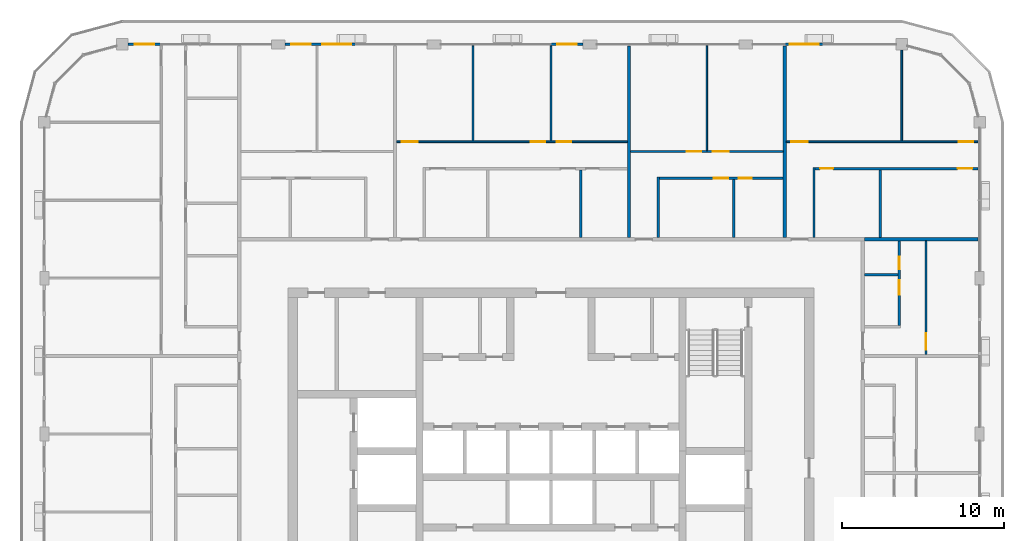
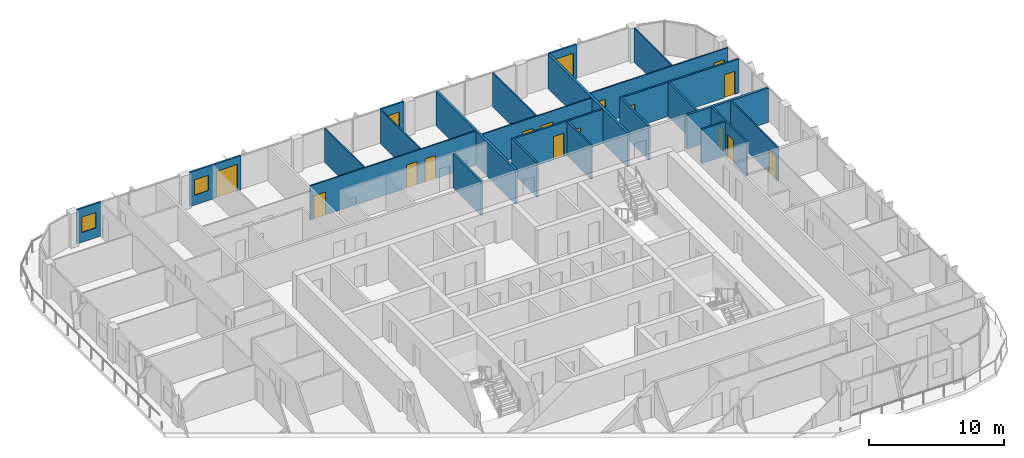
# One storey, part 15 of 22: 24 walls, 16 doors, 3 windows, 19 openings.
"""IFC4 building model written with IfcOpenShell, lengths in metres."""

from ifc_helpers import new_model, si_unit, direction, frame, frame_2d, origin, place, context, subcontext, project, spatial, rectangle, extrude, material, layer, layer_set, type_object, element, fill, save


model = new_model("IFC4")

# Units and contexts
model_context = context("Model", 3, precision=1e-05, world=origin(), true_north=direction((0.0, 1.0)))
body_context = subcontext(model_context, "Body", "Model", "MODEL_VIEW")
ifc_project = project(units=[si_unit("LENGTHUNIT", "METRE"), si_unit("AREAUNIT", "SQUARE_METRE"), si_unit("VOLUMEUNIT", "CUBIC_METRE"), si_unit("PLANEANGLEUNIT", "RADIAN"), si_unit("MASSUNIT", "GRAM", prefix="KILO")], contexts=[model_context])

# Site, building, storey
site_placement = place(None, origin())
site = spatial("IfcSite", under=ifc_project, at=site_placement, CompositionType="ELEMENT")
building_placement = place(site_placement, origin())
building = spatial("IfcBuilding", under=site, at=building_placement, Name="Madar Terraces", CompositionType="ELEMENT")
storey_placement = place(building_placement, frame((0.0, 0.0, 259.699951171875)))
storey = spatial("IfcBuildingStorey", under=building, at=storey_placement, Name="L68", CompositionType="ELEMENT", Elevation=259.699951171875)

# Wall, opening, door
ifc_material_1 = material(Name="Aluminium composite panel, black, over insulated backing", Category="aluminium")
ifc_layer_1 = layer(ifc_material_1, 0.14990234375)
ifc_layer_set_1 = layer_set([ifc_layer_1], Name="Facade bay panel 150")
wall_type_1 = type_object("IfcWallType", Name="Facade bay panel 150", PredefinedType="SOLIDWALL", material=ifc_layer_set_1)
wall_1_placement = place(storey_placement, frame((48.0, 52.800048828125, 0.0), z_axis=(0.0, 0.0, 1.0), x_axis=(-1.0, 0.0, 0.0)))
wall_1 = element("IfcWall", 1, at=wall_1_placement, inside=storey, type_object=wall_type_1, Name="Facade bay panel", PredefinedType="SOLIDWALL", context=body_context, shape_type="SweptSolid", body=[
    extrude(rectangle(XDim=2.39990234375, YDim=0.14990234375, at=frame_2d((1.199951171875, 0.0))), origin(), (0.0, 0.0, 1.0), 3.10009765625),
])
opening_1_placement = place(wall_1_placement, frame((0.300048828125, 0.0, 0.0)))
opening_1 = element("IfcOpeningElement", 2, at=opening_1_placement, cuts=wall_1, Name="Opening ED1", PredefinedType="OPENING", context=body_context, shape_type="SweptSolid", body=[
    extrude(rectangle(XDim=1.800048828125, YDim=2.39990234375, at=frame_2d((0.89990234375, 1.199951171875))), frame((0.0, 0.0849609375, 0.0), z_axis=(0.0, -1.0, 0.0), x_axis=(1.0, 0.0, 0.0)), (0.0, 0.0, 1.0), 0.169921875),
])
ifc_material_2 = material(Name="Glass, clear, with black aluminium frame", Category="aluminium")
door_type_1 = type_object("IfcDoorType", Name="Balcony and terrace sliding door 1800 x 2400", OperationType="SLIDING_TO_LEFT", PredefinedType="DOOR", material=ifc_material_2)
door_1_placement = place(opening_1_placement, origin())
door_1 = element("IfcDoor", 3, at=door_1_placement, inside=storey, type_object=door_type_1, Name="Balcony door", OperationType="SLIDING_TO_LEFT", OverallHeight=2.39990234375, OverallWidth=1.800048828125, PredefinedType="DOOR", context=body_context, shape_type="SweptSolid", body=[
    extrude(rectangle(XDim=1.800048828125, YDim=2.39990234375, at=frame_2d((0.89990234375, 1.199951171875))), frame((0.0, 0.02490234375, 0.0), z_axis=(0.0, -1.0, 0.0), x_axis=(1.0, 0.0, 0.0)), (0.0, 0.0, 1.0), 0.050048828125),
])
fill(opening_1, door_1)

# Wall, opening, window
wall_2_placement = place(storey_placement, frame((33.175048828125, 52.800048828125, 0.0), z_axis=(0.0, 0.0, 1.0), x_axis=(-1.0, 0.0, 0.0)))
wall_2 = element("IfcWall", 4, at=wall_2_placement, inside=storey, type_object=wall_type_1, Name="Facade bay panel", PredefinedType="SOLIDWALL", context=body_context, shape_type="SweptSolid", body=[
    extrude(rectangle(XDim=1.97509765625, YDim=0.14990234375, at=frame_2d((0.987548828125, 0.0))), origin(), (0.0, 0.0, 1.0), 3.10009765625),
])
opening_2_placement = place(wall_2_placement, frame((0.387451171875, 0.0, 0.89990234375)))
opening_2 = element("IfcOpeningElement", 5, at=opening_2_placement, cuts=wall_2, Name="Opening W1", PredefinedType="OPENING", context=body_context, shape_type="SweptSolid", body=[
    extrude(rectangle(XDim=1.199951171875, YDim=1.39990234375, at=frame_2d((0.60009765625, 0.699951171875))), frame((0.0, 0.0849609375, 0.0), z_axis=(0.0, -1.0, 0.0), x_axis=(1.0, 0.0, 0.0)), (0.0, 0.0, 1.0), 0.169921875),
])
ifc_material_3 = material(Name="Glass, clear, with black aluminium frame", Category="aluminium")
window_type = type_object("IfcWindowType", Name="Vent window 1200 x 1400", PartitioningType="SINGLE_PANEL", PredefinedType="WINDOW", material=ifc_material_3)
window_1_placement = place(opening_2_placement, origin())
window_1 = element("IfcWindow", 6, at=window_1_placement, inside=storey, type_object=window_type, Name="Operable vent window", OverallHeight=1.39990234375, OverallWidth=1.199951171875, PartitioningType="SINGLE_PANEL", PredefinedType="WINDOW", context=body_context, shape_type="SweptSolid", body=[
    extrude(rectangle(XDim=1.199951171875, YDim=1.39990234375, at=frame_2d((0.60009765625, 0.699951171875))), frame((0.0, 0.030029296875, 0.0), z_axis=(0.0, -1.0, 0.0), x_axis=(1.0, 0.0, 0.0)), (0.0, 0.0, 1.0), 0.06005859375),
])
fill(opening_2, window_1)

# Wall, openings, door, window
wall_3_placement = place(storey_placement, frame((19.199951171875, 52.800048828125, 0.0), z_axis=(0.0, 0.0, 1.0), x_axis=(-1.0, 0.0, 0.0)))
wall_3 = element("IfcWall", 7, at=wall_3_placement, inside=storey, type_object=wall_type_1, Name="Facade bay panel", PredefinedType="SOLIDWALL", context=body_context, shape_type="SweptSolid", body=[
    extrude(rectangle(XDim=4.375, YDim=0.14990234375, at=frame_2d((2.1875, 0.0))), origin(), (0.0, 0.0, 1.0), 3.10009765625),
])
opening_3_placement = place(wall_3_placement, frame((0.300048828125, 0.0, 0.0)))
opening_3 = element("IfcOpeningElement", 8, at=opening_3_placement, cuts=wall_3, Name="Opening ED1", PredefinedType="OPENING", context=body_context, shape_type="SweptSolid", body=[
    extrude(rectangle(XDim=1.800048828125, YDim=2.39990234375, at=frame_2d((0.89990234375, 1.199951171875))), frame((0.0, 0.0849609375, 0.0), z_axis=(0.0, -1.0, 0.0), x_axis=(1.0, 0.0, 0.0)), (0.0, 0.0, 1.0), 0.169921875),
])
opening_4_placement = place(wall_3_placement, frame((2.78759765625, 0.0, 0.89990234375)))
opening_4 = element("IfcOpeningElement", 9, at=opening_4_placement, cuts=wall_3, Name="Opening W1", PredefinedType="OPENING", context=body_context, shape_type="SweptSolid", body=[
    extrude(rectangle(XDim=1.199951171875, YDim=1.39990234375, at=frame_2d((0.60009765625, 0.699951171875))), frame((0.0, 0.0849609375, 0.0), z_axis=(0.0, -1.0, 0.0), x_axis=(1.0, 0.0, 0.0)), (0.0, 0.0, 1.0), 0.169921875),
])
door_2_placement = place(opening_3_placement, origin())
door_2 = element("IfcDoor", 10, at=door_2_placement, inside=storey, type_object=door_type_1, Name="Balcony door", OperationType="SLIDING_TO_RIGHT", OverallHeight=2.39990234375, OverallWidth=1.800048828125, PredefinedType="DOOR", context=body_context, shape_type="SweptSolid", body=[
    extrude(rectangle(XDim=1.800048828125, YDim=2.39990234375, at=frame_2d((0.89990234375, 1.199951171875))), frame((0.0, 0.02490234375, 0.0), z_axis=(0.0, -1.0, 0.0), x_axis=(1.0, 0.0, 0.0)), (0.0, 0.0, 1.0), 0.050048828125),
])
fill(opening_3, door_2)
window_2_placement = place(opening_4_placement, origin())
window_2 = element("IfcWindow", 11, at=window_2_placement, inside=storey, type_object=window_type, Name="Operable vent window", OverallHeight=1.39990234375, OverallWidth=1.199951171875, PartitioningType="SINGLE_PANEL", PredefinedType="WINDOW", context=body_context, shape_type="SweptSolid", body=[
    extrude(rectangle(XDim=1.199951171875, YDim=1.39990234375, at=frame_2d((0.60009765625, 0.699951171875))), frame((0.0, 0.030029296875, 0.0), z_axis=(0.0, -1.0, 0.0), x_axis=(1.0, 0.0, 0.0)), (0.0, 0.0, 1.0), 0.06005859375),
])
fill(opening_4, window_2)

# Wall, opening, window
wall_4_placement = place(storey_placement, frame((7.199951171875, 52.800048828125, 0.0), z_axis=(0.0, 0.0, 1.0), x_axis=(-1.0, 0.0, 0.0)))
wall_4 = element("IfcWall", 12, at=wall_4_placement, inside=storey, type_object=wall_type_1, Name="Facade bay panel", PredefinedType="SOLIDWALL", context=body_context, shape_type="SweptSolid", body=[
    extrude(rectangle(XDim=2.050048828125, YDim=0.14990234375, at=frame_2d((1.02490234375, 0.0))), origin(), (0.0, 0.0, 1.0), 3.10009765625),
])
opening_5_placement = place(wall_4_placement, frame((0.425048828125, 0.0, 0.89990234375)))
opening_5 = element("IfcOpeningElement", 13, at=opening_5_placement, cuts=wall_4, Name="Opening W1", PredefinedType="OPENING", context=body_context, shape_type="SweptSolid", body=[
    extrude(rectangle(XDim=1.199951171875, YDim=1.39990234375, at=frame_2d((0.60009765625, 0.699951171875))), frame((0.0, 0.0849609375, 0.0), z_axis=(0.0, -1.0, 0.0), x_axis=(1.0, 0.0, 0.0)), (0.0, 0.0, 1.0), 0.169921875),
])
window_3_placement = place(opening_5_placement, origin())
window_3 = element("IfcWindow", 14, at=window_3_placement, inside=storey, type_object=window_type, Name="Operable vent window", OverallHeight=1.39990234375, OverallWidth=1.199951171875, PartitioningType="SINGLE_PANEL", PredefinedType="WINDOW", context=body_context, shape_type="SweptSolid", body=[
    extrude(rectangle(XDim=1.199951171875, YDim=1.39990234375, at=frame_2d((0.60009765625, 0.699951171875))), frame((0.0, 0.030029296875, 0.0), z_axis=(0.0, -1.0, 0.0), x_axis=(1.0, 0.0, 0.0)), (0.0, 0.0, 1.0), 0.06005859375),
])
fill(opening_5, window_3)

# Wall, opening, door
ifc_material_4 = material(Name="Gypsum board on steel studs", Category="steel")
ifc_layer_2 = layer(ifc_material_4, 0.10009765625)
ifc_layer_set_2 = layer_set([ifc_layer_2], Name="Flat partition 100")
wall_type_2 = type_object("IfcWallType", Name="Flat partition 100", PredefinedType="PARTITIONING", material=ifc_layer_set_2)
wall_5_placement = place(storey_placement, frame((54.300048828125, 40.699951171875, 0.0), z_axis=(0.0, 0.0, 1.0), x_axis=(0.0, -1.0, 0.0)))
wall_5 = element("IfcWall", 15, at=wall_5_placement, inside=storey, type_object=wall_type_2, Name="Flat partition 100", PredefinedType="PARTITIONING", context=body_context, shape_type="SweptSolid", body=[
    extrude(rectangle(XDim=7.0, YDim=0.10009765625, at=frame_2d((3.5, 0.0))), origin(), (0.0, 0.0, 1.0), 3.10009765625),
])
opening_6_placement = place(wall_5_placement, frame((5.699951171875, 0.0, 0.0)))
opening_6 = element("IfcOpeningElement", 16, at=opening_6_placement, cuts=wall_5, Name="Opening D3", PredefinedType="OPENING", context=body_context, shape_type="SweptSolid", body=[
    extrude(rectangle(XDim=1.0, YDim=2.10009765625, at=frame_2d((0.5, 1.050048828125))), frame((0.0, 0.06005859375, 0.0), z_axis=(0.0, -1.0, 0.0), x_axis=(1.0, 0.0, 0.0)), (0.0, 0.0, 1.0), 0.1201171875),
])
ifc_material_5 = material(Name="Timber door leaf", Category="wood")
door_type_2 = type_object("IfcDoorType", Name="Flat living room door 1000", OperationType="NOTDEFINED", PredefinedType="DOOR", material=ifc_material_5)
door_3_placement = place(opening_6_placement, origin())
door_3 = element("IfcDoor", 17, at=door_3_placement, inside=storey, type_object=door_type_2, Name="Flat living room door 1000", OperationType="SINGLE_SWING_RIGHT", OverallHeight=2.10009765625, OverallWidth=1.0, PredefinedType="DOOR", context=body_context, shape_type="SweptSolid", body=[
    extrude(rectangle(XDim=1.0, YDim=2.10009765625, at=frame_2d((0.5, 1.050048828125))), frame((0.0, 0.02490234375, 0.0), z_axis=(0.0, -1.0, 0.0), x_axis=(1.0, 0.0, 0.0)), (0.0, 0.0, 1.0), 0.050048828125),
])
fill(opening_6, door_3)

# Wall
wall_6_placement = place(storey_placement, frame((52.800048828125, 46.85009765625, 0.0), z_axis=(0.0, 0.0, 1.0), x_axis=(0.0, 1.0, 0.0)))
element("IfcWall", 18, at=wall_6_placement, inside=storey, type_object=wall_type_2, Name="Flat partition 100", PredefinedType="PARTITIONING", context=body_context, shape_type="SweptSolid", body=[
    extrude(rectangle(XDim=5.599853515625, YDim=0.10009765625, at=frame_2d((2.7998046875, 0.0))), origin(), (0.0, 0.0, 1.0), 3.10009765625),
])

# Wall, openings, doors
wall_7_placement = place(storey_placement, frame((45.699951171875, 46.800048828125, 0.0), z_axis=(0.0, 0.0, 1.0), x_axis=(1.0, 0.0, 0.0)))
wall_7 = element("IfcWall", 19, at=wall_7_placement, inside=storey, type_object=wall_type_2, Name="Flat partition 100", PredefinedType="PARTITIONING", context=body_context, shape_type="SweptSolid", body=[
    extrude(rectangle(XDim=11.800048828125, YDim=0.10009765625, at=frame_2d((5.89990234375, 0.0))), origin(), (0.0, 0.0, 1.0), 3.10009765625),
])
opening_7_placement = place(wall_7_placement, frame((0.300048828125, 0.0, 0.0)))
opening_7 = element("IfcOpeningElement", 20, at=opening_7_placement, cuts=wall_7, Name="Opening D3", PredefinedType="OPENING", context=body_context, shape_type="SweptSolid", body=[
    extrude(rectangle(XDim=1.0, YDim=2.10009765625, at=frame_2d((0.5, 1.050048828125))), frame((0.0, 0.06005859375, 0.0), z_axis=(0.0, -1.0, 0.0), x_axis=(1.0, 0.0, 0.0)), (0.0, 0.0, 1.0), 0.1201171875),
])
opening_8_placement = place(wall_7_placement, frame((10.60009765625, 0.0, 0.0)))
opening_8 = element("IfcOpeningElement", 21, at=opening_8_placement, cuts=wall_7, Name="Opening D2", PredefinedType="OPENING", context=body_context, shape_type="SweptSolid", body=[
    extrude(rectangle(XDim=0.89990234375, YDim=2.10009765625, at=frame_2d((0.449951171875, 1.050048828125))), frame((0.0, 0.06005859375, 0.0), z_axis=(0.0, -1.0, 0.0), x_axis=(1.0, 0.0, 0.0)), (0.0, 0.0, 1.0), 0.1201171875),
])
door_4_placement = place(opening_7_placement, origin())
door_4 = element("IfcDoor", 22, at=door_4_placement, inside=storey, type_object=door_type_2, Name="Flat living room door 1000", OperationType="SINGLE_SWING_LEFT", OverallHeight=2.10009765625, OverallWidth=1.0, PredefinedType="DOOR", context=body_context, shape_type="SweptSolid", body=[
    extrude(rectangle(XDim=1.0, YDim=2.10009765625, at=frame_2d((0.5, 1.050048828125))), frame((0.0, 0.02490234375, 0.0), z_axis=(0.0, -1.0, 0.0), x_axis=(1.0, 0.0, 0.0)), (0.0, 0.0, 1.0), 0.050048828125),
])
fill(opening_7, door_4)
ifc_material_6 = material(Name="Timber door leaf", Category="wood")
door_type_3 = type_object("IfcDoorType", Name="Flat room door 900", OperationType="NOTDEFINED", PredefinedType="DOOR", material=ifc_material_6)
door_5_placement = place(opening_8_placement, origin())
door_5 = element("IfcDoor", 23, at=door_5_placement, inside=storey, type_object=door_type_3, Name="Flat room door 900", OperationType="SINGLE_SWING_RIGHT", OverallHeight=2.10009765625, OverallWidth=0.89990234375, PredefinedType="DOOR", context=body_context, shape_type="SweptSolid", body=[
    extrude(rectangle(XDim=0.89990234375, YDim=2.10009765625, at=frame_2d((0.449951171875, 1.050048828125))), frame((0.0, 0.02490234375, 0.0), z_axis=(0.0, -1.0, 0.0), x_axis=(1.0, 0.0, 0.0)), (0.0, 0.0, 1.0), 0.050048828125),
])
fill(opening_8, door_5)

# Wall
wall_8_placement = place(storey_placement, frame((40.800048828125, 46.25, 0.0), z_axis=(0.0, 0.0, 1.0), x_axis=(0.0, 1.0, 0.0)))
element("IfcWall", 24, at=wall_8_placement, inside=storey, type_object=wall_type_2, Name="Flat partition 100", PredefinedType="PARTITIONING", context=body_context, shape_type="SweptSolid", body=[
    extrude(rectangle(XDim=6.449951171875, YDim=0.10009765625, at=frame_2d((3.22509765625, 0.0))), origin(), (0.0, 0.0, 1.0), 3.10009765625),
])

# Wall, openings, doors
wall_9_placement = place(storey_placement, frame((36.10009765625, 46.199951171875, 0.0), z_axis=(0.0, 0.0, 1.0), x_axis=(1.0, 0.0, 0.0)))
wall_9 = element("IfcWall", 25, at=wall_9_placement, inside=storey, type_object=wall_type_2, Name="Flat partition 100", PredefinedType="PARTITIONING", context=body_context, shape_type="SweptSolid", body=[
    extrude(rectangle(XDim=9.39990234375, YDim=0.10009765625, at=frame_2d((4.699951171875, 0.0))), origin(), (0.0, 0.0, 1.0), 3.10009765625),
])
opening_9_placement = place(wall_9_placement, frame((3.449951171875, 0.0, 0.0)))
opening_9 = element("IfcOpeningElement", 26, at=opening_9_placement, cuts=wall_9, Name="Opening D2", PredefinedType="OPENING", context=body_context, shape_type="SweptSolid", body=[
    extrude(rectangle(XDim=0.89990234375, YDim=2.10009765625, at=frame_2d((0.449951171875, 1.050048828125))), frame((0.0, 0.06005859375, 0.0), z_axis=(0.0, -1.0, 0.0), x_axis=(1.0, 0.0, 0.0)), (0.0, 0.0, 1.0), 0.1201171875),
])
opening_10_placement = place(wall_9_placement, frame((5.050048828125, 0.0, 0.0)))
opening_10 = element("IfcOpeningElement", 27, at=opening_10_placement, cuts=wall_9, Name="Opening D3", PredefinedType="OPENING", context=body_context, shape_type="SweptSolid", body=[
    extrude(rectangle(XDim=1.0, YDim=2.10009765625, at=frame_2d((0.5, 1.050048828125))), frame((0.0, 0.06005859375, 0.0), z_axis=(0.0, -1.0, 0.0), x_axis=(1.0, 0.0, 0.0)), (0.0, 0.0, 1.0), 0.1201171875),
])
door_6_placement = place(opening_10_placement, origin())
door_6 = element("IfcDoor", 28, at=door_6_placement, inside=storey, type_object=door_type_2, Name="Flat living room door 1000", OperationType="SINGLE_SWING_LEFT", OverallHeight=2.10009765625, OverallWidth=1.0, PredefinedType="DOOR", context=body_context, shape_type="SweptSolid", body=[
    extrude(rectangle(XDim=1.0, YDim=2.10009765625, at=frame_2d((0.5, 1.050048828125))), frame((0.0, 0.02490234375, 0.0), z_axis=(0.0, -1.0, 0.0), x_axis=(1.0, 0.0, 0.0)), (0.0, 0.0, 1.0), 0.050048828125),
])
fill(opening_10, door_6)
door_7_placement = place(opening_9_placement, origin())
door_7 = element("IfcDoor", 29, at=door_7_placement, inside=storey, type_object=door_type_3, Name="Flat room door 900", OperationType="SINGLE_SWING_RIGHT", OverallHeight=2.10009765625, OverallWidth=0.89990234375, PredefinedType="DOOR", context=body_context, shape_type="SweptSolid", body=[
    extrude(rectangle(XDim=0.89990234375, YDim=2.10009765625, at=frame_2d((0.449951171875, 1.050048828125))), frame((0.0, 0.02490234375, 0.0), z_axis=(0.0, -1.0, 0.0), x_axis=(1.0, 0.0, 0.0)), (0.0, 0.0, 1.0), 0.050048828125),
])
fill(opening_9, door_7)

# Walls
for number, where, z_axis, x_axis, name in (
    (30, (26.39990234375, 46.85009765625, 0.0), (0.0, 0.0, 1.0), (0.0, 1.0, 0.0), "Flat partition 100"),
    (31, (31.199951171875, 46.85009765625, 0.0), (0.0, 0.0, 1.0), (0.0, 1.0, 0.0), "Flat partition 100"),
):
    element("IfcWall", number, at=place(storey_placement, frame(where, z_axis=z_axis, x_axis=x_axis)), inside=storey, type_object=wall_type_2, Name=name, PredefinedType="PARTITIONING", context=body_context, shape_type="SweptSolid", body=[
        extrude(rectangle(XDim=5.849853515625, YDim=0.10009765625, at=frame_2d((2.9248046875, 0.0))), origin(), (0.0, 0.0, 1.0), 3.10009765625),
    ])

# Wall, openings, doors
wall_10_placement = place(storey_placement, frame((21.699951171875, 46.800048828125, 0.0), z_axis=(0.0, 0.0, 1.0), x_axis=(1.0, 0.0, 0.0)))
wall_10 = element("IfcWall", 32, at=wall_10_placement, inside=storey, type_object=wall_type_2, Name="Flat partition 100", PredefinedType="PARTITIONING", context=body_context, shape_type="SweptSolid", body=[
    extrude(rectangle(XDim=14.199951171875, YDim=0.10009765625, at=frame_2d((7.10009765625, 0.0))), origin(), (0.0, 0.0, 1.0), 3.10009765625),
])
opening_11_placement = place(wall_10_placement, frame((0.300048828125, 0.0, 0.0)))
opening_11 = element("IfcOpeningElement", 33, at=opening_11_placement, cuts=wall_10, Name="Opening D3", PredefinedType="OPENING", context=body_context, shape_type="SweptSolid", body=[
    extrude(rectangle(XDim=1.0, YDim=2.10009765625, at=frame_2d((0.5, 1.050048828125))), frame((0.0, 0.06005859375, 0.0), z_axis=(0.0, -1.0, 0.0), x_axis=(1.0, 0.0, 0.0)), (0.0, 0.0, 1.0), 0.1201171875),
])
opening_12_placement = place(wall_10_placement, frame((8.25, 0.0, 0.0)))
opening_12 = element("IfcOpeningElement", 34, at=opening_12_placement, cuts=wall_10, Name="Opening D2", PredefinedType="OPENING", context=body_context, shape_type="SweptSolid", body=[
    extrude(rectangle(XDim=0.89990234375, YDim=2.10009765625, at=frame_2d((0.449951171875, 1.050048828125))), frame((0.0, 0.06005859375, 0.0), z_axis=(0.0, -1.0, 0.0), x_axis=(1.0, 0.0, 0.0)), (0.0, 0.0, 1.0), 0.1201171875),
])
opening_13_placement = place(wall_10_placement, frame((9.85009765625, 0.0, 0.0)))
opening_13 = element("IfcOpeningElement", 35, at=opening_13_placement, cuts=wall_10, Name="Opening D2", PredefinedType="OPENING", context=body_context, shape_type="SweptSolid", body=[
    extrude(rectangle(XDim=0.89990234375, YDim=2.10009765625, at=frame_2d((0.449951171875, 1.050048828125))), frame((0.0, 0.06005859375, 0.0), z_axis=(0.0, -1.0, 0.0), x_axis=(1.0, 0.0, 0.0)), (0.0, 0.0, 1.0), 0.1201171875),
])
door_8_placement = place(opening_11_placement, origin())
door_8 = element("IfcDoor", 36, at=door_8_placement, inside=storey, type_object=door_type_2, Name="Flat living room door 1000", OperationType="SINGLE_SWING_LEFT", OverallHeight=2.10009765625, OverallWidth=1.0, PredefinedType="DOOR", context=body_context, shape_type="SweptSolid", body=[
    extrude(rectangle(XDim=1.0, YDim=2.10009765625, at=frame_2d((0.5, 1.050048828125))), frame((0.0, 0.02490234375, 0.0), z_axis=(0.0, -1.0, 0.0), x_axis=(1.0, 0.0, 0.0)), (0.0, 0.0, 1.0), 0.050048828125),
])
fill(opening_11, door_8)
door_9_placement = place(opening_12_placement, origin())
door_9 = element("IfcDoor", 37, at=door_9_placement, inside=storey, type_object=door_type_3, Name="Flat room door 900", OperationType="SINGLE_SWING_RIGHT", OverallHeight=2.10009765625, OverallWidth=0.89990234375, PredefinedType="DOOR", context=body_context, shape_type="SweptSolid", body=[
    extrude(rectangle(XDim=0.89990234375, YDim=2.10009765625, at=frame_2d((0.449951171875, 1.050048828125))), frame((0.0, 0.02490234375, 0.0), z_axis=(0.0, -1.0, 0.0), x_axis=(1.0, 0.0, 0.0)), (0.0, 0.0, 1.0), 0.050048828125),
])
fill(opening_12, door_9)
door_10_placement = place(opening_13_placement, origin())
door_10 = element("IfcDoor", 38, at=door_10_placement, inside=storey, type_object=door_type_3, Name="Flat room door 900", OperationType="SINGLE_SWING_LEFT", OverallHeight=2.10009765625, OverallWidth=0.89990234375, PredefinedType="DOOR", context=body_context, shape_type="SweptSolid", body=[
    extrude(rectangle(XDim=0.89990234375, YDim=2.10009765625, at=frame_2d((0.449951171875, 1.050048828125))), frame((0.0, 0.02490234375, 0.0), z_axis=(0.0, -1.0, 0.0), x_axis=(1.0, 0.0, 0.0)), (0.0, 0.0, 1.0), 0.050048828125),
])
fill(opening_13, door_10)

# Walls
ifc_material_7 = material(Name="Lightweight blockwork", Category="masonry")
ifc_layer_3 = layer(ifc_material_7, 0.199951171875)
ifc_layer_set_3 = layer_set([ifc_layer_3], Name="Flat party and entrance wall 200")
wall_type_3 = type_object("IfcWallType", Name="Flat party and entrance wall 200", PredefinedType="PARTITIONING", material=ifc_layer_set_3)
wall_11_placement = place(storey_placement, frame((50.5, 40.800048828125, 0.0), z_axis=(0.0, 0.0, 1.0), x_axis=(1.0, 0.0, 0.0)))
element("IfcWall", 39, at=wall_11_placement, inside=storey, type_object=wall_type_3, Name="Flat party and entrance wall 200", PredefinedType="PARTITIONING", context=body_context, shape_type="SweptSolid", body=[
    extrude(rectangle(XDim=7.0, YDim=0.199951171875, at=frame_2d((3.5, 0.0))), origin(), (0.0, 0.0, 1.0), 3.10009765625),
])
for number, where, z_axis, x_axis, name in (
    (40, (45.60009765625, 52.699951171875, 0.0), (0.0, 0.0, 1.0), (0.0, -1.0, 0.0), "Flat party and entrance wall 200"),
    (41, (36.0, 52.699951171875, 0.0), (0.0, 0.0, 1.0), (0.0, -1.0, 0.0), "Flat party and entrance wall 200"),
):
    element("IfcWall", number, at=place(storey_placement, frame(where, z_axis=z_axis, x_axis=x_axis)), inside=storey, type_object=wall_type_3, Name=name, PredefinedType="PARTITIONING", context=body_context, shape_type="SweptSolid", body=[
        extrude(rectangle(XDim=11.800048828125, YDim=0.199951171875, at=frame_2d((5.89990234375, 0.0))), origin(), (0.0, 0.0, 1.0), 3.10009765625),
    ])
ifc_material_8 = material(Name="Lightweight blockwork", Category="masonry")
ifc_layer_4 = layer(ifc_material_8, 0.14990234375)
ifc_layer_set_4 = layer_set([ifc_layer_4], Name="Flat wet-room partition 150")
wall_type_4 = type_object("IfcWallType", Name="Flat wet-room partition 150", PredefinedType="PARTITIONING", material=ifc_layer_set_4)
wall_12_placement = place(storey_placement, frame((50.5, 38.610107421875, 0.0), z_axis=(0.0, 0.0, 1.0), x_axis=(1.0, 0.0, 0.0)))
element("IfcWall", 42, at=wall_12_placement, inside=storey, type_object=wall_type_4, Name="Flat wet-room partition 150", PredefinedType="PARTITIONING", context=body_context, shape_type="SweptSolid", body=[
    extrude(rectangle(XDim=2.074951171875, YDim=0.14990234375, at=frame_2d((1.03759765625, 0.0))), origin(), (0.0, 0.0, 1.0), 3.10009765625),
])

# Wall, openings, doors
wall_13_placement = place(storey_placement, frame((52.64990234375, 35.47509765625, 0.0), z_axis=(0.0, 0.0, 1.0), x_axis=(0.0, 1.0, 0.0)))
wall_13 = element("IfcWall", 43, at=wall_13_placement, inside=storey, type_object=wall_type_4, Name="Flat wet-room partition 150", PredefinedType="PARTITIONING", context=body_context, shape_type="SweptSolid", body=[
    extrude(rectangle(XDim=5.224853515625, YDim=0.14990234375, at=frame_2d((2.6123046875, 0.0))), origin(), (0.0, 0.0, 1.0), 3.10009765625),
])
opening_14_placement = place(wall_13_placement, frame((1.909912109375, 0.0, 0.0)))
opening_14 = element("IfcOpeningElement", 44, at=opening_14_placement, cuts=wall_13, Name="Opening D2", PredefinedType="OPENING", context=body_context, shape_type="SweptSolid", body=[
    extrude(rectangle(XDim=0.89990234375, YDim=2.10009765625, at=frame_2d((0.449951171875, 1.050048828125))), frame((0.0, 0.0849609375, 0.0), z_axis=(0.0, -1.0, 0.0), x_axis=(1.0, 0.0, 0.0)), (0.0, 0.0, 1.0), 0.169921875),
])
opening_15_placement = place(wall_13_placement, frame((3.4599609375, 0.0, 0.0)))
opening_15 = element("IfcOpeningElement", 45, at=opening_15_placement, cuts=wall_13, Name="Opening D4", PredefinedType="OPENING", context=body_context, shape_type="SweptSolid", body=[
    extrude(rectangle(XDim=0.800048828125, YDim=2.10009765625, at=frame_2d((0.39990234375, 1.050048828125))), frame((0.0, 0.0849609375, 0.0), z_axis=(0.0, -1.0, 0.0), x_axis=(1.0, 0.0, 0.0)), (0.0, 0.0, 1.0), 0.169921875),
])
ifc_material_9 = material(Name="Timber door leaf", Category="wood")
door_type_4 = type_object("IfcDoorType", Name="Flat bathroom door 800", OperationType="NOTDEFINED", PredefinedType="DOOR", material=ifc_material_9)
door_11_placement = place(opening_15_placement, origin())
door_11 = element("IfcDoor", 46, at=door_11_placement, inside=storey, type_object=door_type_4, Name="Flat bathroom door 800", OperationType="SINGLE_SWING_LEFT", OverallHeight=2.10009765625, OverallWidth=0.800048828125, PredefinedType="DOOR", context=body_context, shape_type="SweptSolid", body=[
    extrude(rectangle(XDim=0.800048828125, YDim=2.10009765625, at=frame_2d((0.39990234375, 1.050048828125))), frame((0.0, 0.02490234375, 0.0), z_axis=(0.0, -1.0, 0.0), x_axis=(1.0, 0.0, 0.0)), (0.0, 0.0, 1.0), 0.050048828125),
])
fill(opening_15, door_11)
door_12_placement = place(opening_14_placement, origin())
door_12 = element("IfcDoor", 47, at=door_12_placement, inside=storey, type_object=door_type_3, Name="Flat room door 900", OperationType="SINGLE_SWING_RIGHT", OverallHeight=2.10009765625, OverallWidth=0.89990234375, PredefinedType="DOOR", context=body_context, shape_type="SweptSolid", body=[
    extrude(rectangle(XDim=0.89990234375, YDim=2.10009765625, at=frame_2d((0.449951171875, 1.050048828125))), frame((0.0, 0.02490234375, 0.0), z_axis=(0.0, -1.0, 0.0), x_axis=(1.0, 0.0, 0.0)), (0.0, 0.0, 1.0), 0.050048828125),
])
fill(opening_14, door_12)

# Walls
wall_14_placement = place(storey_placement, frame((51.485107421875, 40.89990234375, 0.0), z_axis=(0.0, 0.0, 1.0), x_axis=(0.0, 1.0, 0.0)))
element("IfcWall", 48, at=wall_14_placement, inside=storey, type_object=wall_type_4, Name="Flat wet-room partition 150", PredefinedType="PARTITIONING", context=body_context, shape_type="SweptSolid", body=[
    extrude(rectangle(XDim=4.175048828125, YDim=0.14990234375, at=frame_2d((2.08740234375, 0.0))), origin(), (0.0, 0.0, 1.0), 3.10009765625),
])
wall_15_placement = place(storey_placement, frame((47.39990234375, 40.89990234375, 0.0), z_axis=(0.0, 0.0, 1.0), x_axis=(0.0, 1.0, 0.0)))
element("IfcWall", 49, at=wall_15_placement, inside=storey, type_object=wall_type_4, Name="Flat wet-room partition 150", PredefinedType="PARTITIONING", context=body_context, shape_type="SweptSolid", body=[
    extrude(rectangle(XDim=4.3251953125, YDim=0.14990234375, at=frame_2d((2.16259765625, 0.0))), origin(), (0.0, 0.0, 1.0), 3.10009765625),
])

# Wall, openings, doors
wall_16_placement = place(storey_placement, frame((57.5, 45.14990234375, 0.0), z_axis=(0.0, 0.0, 1.0), x_axis=(-1.0, 0.0, 0.0)))
wall_16 = element("IfcWall", 50, at=wall_16_placement, inside=storey, type_object=wall_type_4, Name="Flat wet-room partition 150", PredefinedType="PARTITIONING", context=body_context, shape_type="SweptSolid", body=[
    extrude(rectangle(XDim=10.02490234375, YDim=0.14990234375, at=frame_2d((5.012451171875, 0.0))), origin(), (0.0, 0.0, 1.0), 3.10009765625),
])
opening_16_placement = place(wall_16_placement, frame((8.925048828125, 0.0, 0.0)))
opening_16 = element("IfcOpeningElement", 51, at=opening_16_placement, cuts=wall_16, Name="Opening D4", PredefinedType="OPENING", context=body_context, shape_type="SweptSolid", body=[
    extrude(rectangle(XDim=0.800048828125, YDim=2.10009765625, at=frame_2d((0.39990234375, 1.050048828125))), frame((0.0, 0.0849609375, 0.0), z_axis=(0.0, -1.0, 0.0), x_axis=(1.0, 0.0, 0.0)), (0.0, 0.0, 1.0), 0.169921875),
])
opening_17_placement = place(wall_16_placement, frame((0.35009765625, 0.0, 0.0)))
opening_17 = element("IfcOpeningElement", 52, at=opening_17_placement, cuts=wall_16, Name="Opening D2", PredefinedType="OPENING", context=body_context, shape_type="SweptSolid", body=[
    extrude(rectangle(XDim=0.89990234375, YDim=2.10009765625, at=frame_2d((0.449951171875, 1.050048828125))), frame((0.0, 0.0849609375, 0.0), z_axis=(0.0, -1.0, 0.0), x_axis=(1.0, 0.0, 0.0)), (0.0, 0.0, 1.0), 0.169921875),
])
door_13_placement = place(opening_16_placement, origin())
door_13 = element("IfcDoor", 53, at=door_13_placement, inside=storey, type_object=door_type_4, Name="Flat bathroom door 800", OperationType="SINGLE_SWING_RIGHT", OverallHeight=2.10009765625, OverallWidth=0.800048828125, PredefinedType="DOOR", context=body_context, shape_type="SweptSolid", body=[
    extrude(rectangle(XDim=0.800048828125, YDim=2.10009765625, at=frame_2d((0.39990234375, 1.050048828125))), frame((0.0, 0.02490234375, 0.0), z_axis=(0.0, -1.0, 0.0), x_axis=(1.0, 0.0, 0.0)), (0.0, 0.0, 1.0), 0.050048828125),
])
fill(opening_16, door_13)
door_14_placement = place(opening_17_placement, origin())
door_14 = element("IfcDoor", 54, at=door_14_placement, inside=storey, type_object=door_type_3, Name="Flat room door 900", OperationType="SINGLE_SWING_LEFT", OverallHeight=2.10009765625, OverallWidth=0.89990234375, PredefinedType="DOOR", context=body_context, shape_type="SweptSolid", body=[
    extrude(rectangle(XDim=0.89990234375, YDim=2.10009765625, at=frame_2d((0.449951171875, 1.050048828125))), frame((0.0, 0.02490234375, 0.0), z_axis=(0.0, -1.0, 0.0), x_axis=(1.0, 0.0, 0.0)), (0.0, 0.0, 1.0), 0.050048828125),
])
fill(opening_17, door_14)

# Walls
wall_17_placement = place(storey_placement, frame((42.449951171875, 40.89990234375, 0.0), z_axis=(0.0, 0.0, 1.0), x_axis=(0.0, 1.0, 0.0)))
element("IfcWall", 55, at=wall_17_placement, inside=storey, type_object=wall_type_4, Name="Flat wet-room partition 150", PredefinedType="PARTITIONING", context=body_context, shape_type="SweptSolid", body=[
    extrude(rectangle(XDim=3.5751953125, YDim=0.14990234375, at=frame_2d((1.78759765625, 0.0))), origin(), (0.0, 0.0, 1.0), 3.10009765625),
])
wall_18_placement = place(storey_placement, frame((37.800048828125, 40.89990234375, 0.0), z_axis=(0.0, 0.0, 1.0), x_axis=(0.0, 1.0, 0.0)))
element("IfcWall", 56, at=wall_18_placement, inside=storey, type_object=wall_type_4, Name="Flat wet-room partition 150", PredefinedType="PARTITIONING", context=body_context, shape_type="SweptSolid", body=[
    extrude(rectangle(XDim=3.72509765625, YDim=0.14990234375, at=frame_2d((1.862548828125, 0.0))), origin(), (0.0, 0.0, 1.0), 3.10009765625),
])

# Wall, openings, doors
wall_19_placement = place(storey_placement, frame((45.5, 44.550048828125, 0.0), z_axis=(0.0, 0.0, 1.0), x_axis=(-1.0, 0.0, 0.0)))
wall_19 = element("IfcWall", 57, at=wall_19_placement, inside=storey, type_object=wall_type_4, Name="Flat wet-room partition 150", PredefinedType="PARTITIONING", context=body_context, shape_type="SweptSolid", body=[
    extrude(rectangle(XDim=7.625, YDim=0.14990234375, at=frame_2d((3.8125, 0.0))), origin(), (0.0, 0.0, 1.0), 3.10009765625),
])
opening_18_placement = place(wall_19_placement, frame((3.375, 0.0, 0.0)))
opening_18 = element("IfcOpeningElement", 58, at=opening_18_placement, cuts=wall_19, Name="Opening D2", PredefinedType="OPENING", context=body_context, shape_type="SweptSolid", body=[
    extrude(rectangle(XDim=0.89990234375, YDim=2.10009765625, at=frame_2d((0.449951171875, 1.050048828125))), frame((0.0, 0.0849609375, 0.0), z_axis=(0.0, -1.0, 0.0), x_axis=(1.0, 0.0, 0.0)), (0.0, 0.0, 1.0), 0.169921875),
])
opening_19_placement = place(wall_19_placement, frame((1.925048828125, 0.0, 0.0)))
opening_19 = element("IfcOpeningElement", 59, at=opening_19_placement, cuts=wall_19, Name="Opening D4", PredefinedType="OPENING", context=body_context, shape_type="SweptSolid", body=[
    extrude(rectangle(XDim=0.800048828125, YDim=2.10009765625, at=frame_2d((0.39990234375, 1.050048828125))), frame((0.0, 0.0849609375, 0.0), z_axis=(0.0, -1.0, 0.0), x_axis=(1.0, 0.0, 0.0)), (0.0, 0.0, 1.0), 0.169921875),
])
door_15_placement = place(opening_19_placement, origin())
door_15 = element("IfcDoor", 60, at=door_15_placement, inside=storey, type_object=door_type_4, Name="Flat bathroom door 800", OperationType="SINGLE_SWING_RIGHT", OverallHeight=2.10009765625, OverallWidth=0.800048828125, PredefinedType="DOOR", context=body_context, shape_type="SweptSolid", body=[
    extrude(rectangle(XDim=0.800048828125, YDim=2.10009765625, at=frame_2d((0.39990234375, 1.050048828125))), frame((0.0, 0.02490234375, 0.0), z_axis=(0.0, -1.0, 0.0), x_axis=(1.0, 0.0, 0.0)), (0.0, 0.0, 1.0), 0.050048828125),
])
fill(opening_19, door_15)
door_16_placement = place(opening_18_placement, origin())
door_16 = element("IfcDoor", 61, at=door_16_placement, inside=storey, type_object=door_type_3, Name="Flat room door 900", OperationType="SINGLE_SWING_LEFT", OverallHeight=2.10009765625, OverallWidth=0.89990234375, PredefinedType="DOOR", context=body_context, shape_type="SweptSolid", body=[
    extrude(rectangle(XDim=0.89990234375, YDim=2.10009765625, at=frame_2d((0.449951171875, 1.050048828125))), frame((0.0, 0.02490234375, 0.0), z_axis=(0.0, -1.0, 0.0), x_axis=(1.0, 0.0, 0.0)), (0.0, 0.0, 1.0), 0.050048828125),
])
fill(opening_18, door_16)

# Wall
wall_20_placement = place(storey_placement, frame((33.03271484375, 40.89990234375, 0.0), z_axis=(0.0, 0.0, 1.0), x_axis=(0.0, 1.0, 0.0)))
element("IfcWall", 62, at=wall_20_placement, inside=storey, type_object=wall_type_4, Name="Flat wet-room partition 150", PredefinedType="PARTITIONING", context=body_context, shape_type="SweptSolid", body=[
    extrude(rectangle(XDim=4.175048828125, YDim=0.14990234375, at=frame_2d((2.08740234375, 0.0))), origin(), (0.0, 0.0, 1.0), 3.10009765625),
])

save(model, "model.ifc")
